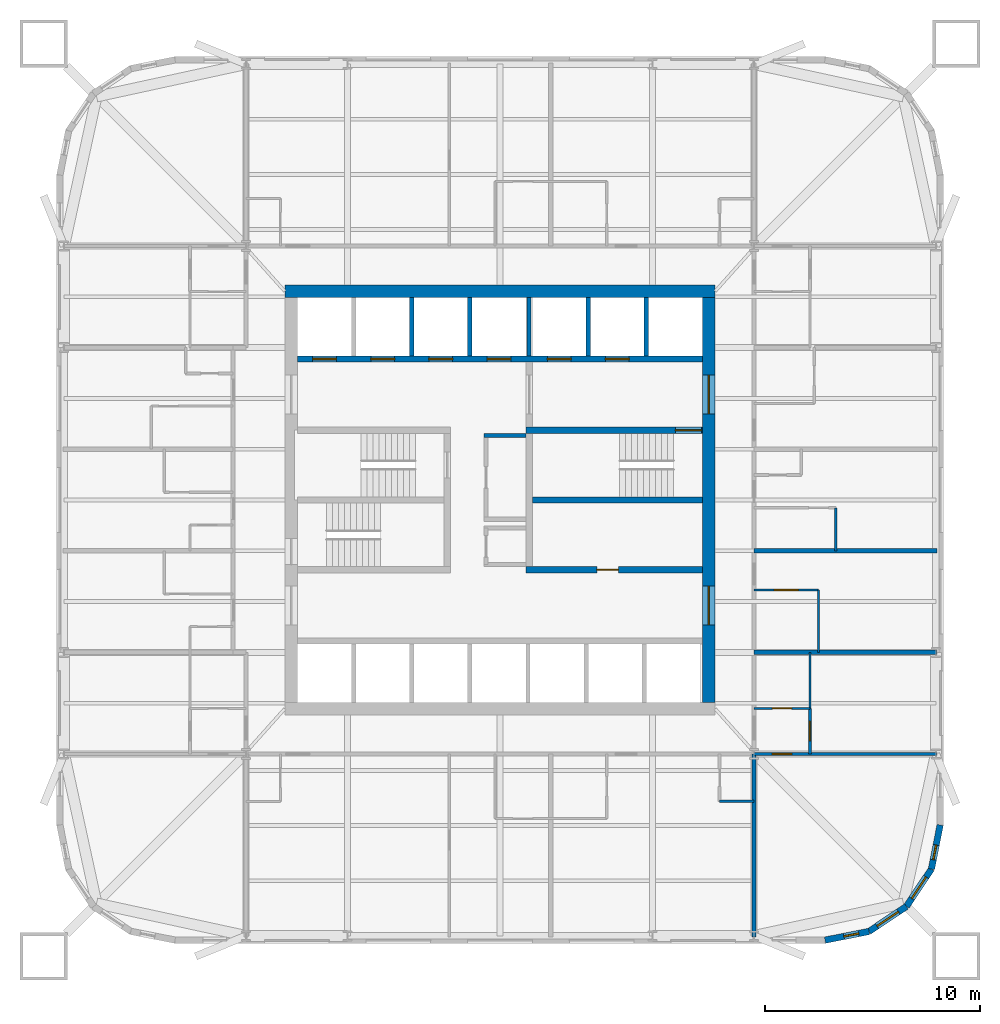
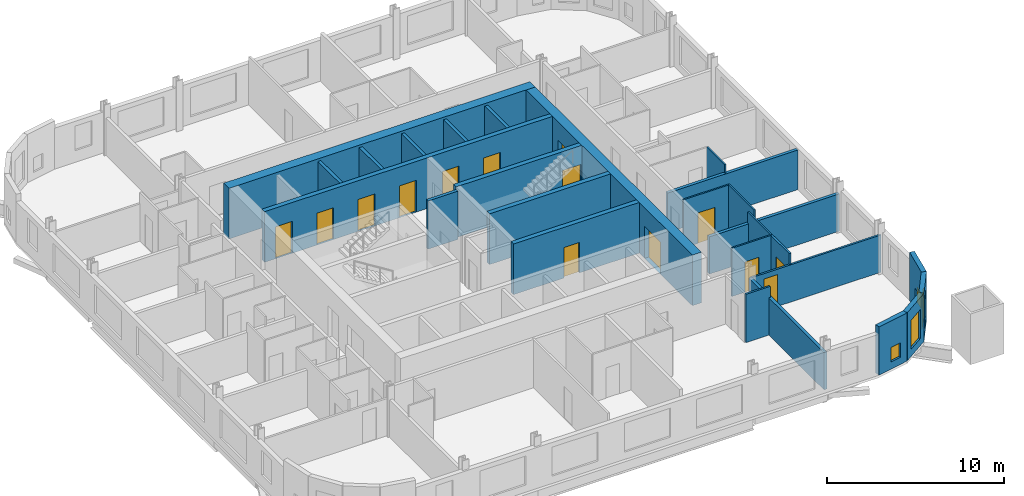
# One storey, part 5 of 9: 27 walls, 14 doors, 4 windows, 18 openings.
"""IFC4 building model written with IfcOpenShell, lengths in metres."""

import ifcopenshell
import ifcopenshell.guid

model = None  # the IFC model being written
_history = None  # IfcOwnerHistory: only IFC2X3 demands one
_inside = {}  # id of a spatial element -> (the spatial element, [elements in it])
_under = {}  # id of a project, library or spatial element -> (it, [spatial elements below it])
_declared = {}  # id of a project -> (the project, [libraries it declares])
_typed = {}  # id of a type object -> (the type object, [elements of that type])
_made_of = {}  # id of a material, layer set ... -> (it, [elements and type objects made of it])


def new_model(schema):
    """Start an empty IFC model of exactly this schema.

    Asked for "IFC4X3", IfcOpenShell would pick the latest addendum, in which some entities
    have other attributes; the version numbers below select the first issue.
    IFC2X3 requires an IfcOwnerHistory on every rooted entity: one is made here for all.
    """
    global model, _history
    if schema == "IFC4X3":
        model = ifcopenshell.file(schema_version=(4, 3, 0, 0))
    else:
        model = ifcopenshell.file(schema=schema)
    _inside.clear()
    _under.clear()
    _declared.clear()
    _typed.clear()
    _made_of.clear()
    _history = None
    if model.schema == "IFC2X3":
        org = make("IfcOrganization", Name="unknown")
        user = make(
            "IfcPersonAndOrganization",
            ThePerson=make("IfcPerson", FamilyName="unknown"),
            TheOrganization=org,
        )
        app = make(
            "IfcApplication",
            ApplicationDeveloper=org,
            Version="unknown",
            ApplicationFullName="unknown",
            ApplicationIdentifier="unknown",
        )
        _history = make(
            "IfcOwnerHistory",
            OwningUser=user,
            OwningApplication=app,
            ChangeAction="ADDED",
            CreationDate=0,
        )
    return model


def make(cls, **values):
    """One entity of the class cls with the attributes given. An attribute that is None is left unset."""
    return model.create_entity(
        cls, **{name: value for name, value in values.items() if value is not None}
    )


def rooted(cls, **values):
    """An entity with a GlobalId (a new one), such as an element, a storey or a relation."""
    return make(cls, GlobalId=ifcopenshell.guid.new(), OwnerHistory=_history, **values)


def si_unit(unit_type, name, prefix=None):
    """IfcSIUnit, for example si_unit("LENGTHUNIT", "METRE", prefix="MILLI")."""
    return make("IfcSIUnit", UnitType=unit_type, Prefix=prefix, Name=name)


def assignment(units):
    """IfcUnitAssignment: the units of a project."""
    return None if units is None else make("IfcUnitAssignment", Units=units)


def point(xyz):
    """IfcCartesianPoint."""
    return None if xyz is None else make("IfcCartesianPoint", Coordinates=xyz)


def direction(xyz):
    """IfcDirection."""
    return None if xyz is None else make("IfcDirection", DirectionRatios=xyz)


def frame(location, z_axis=None, x_axis=None):
    """IfcAxis2Placement3D, a coordinate frame: its origin and axes. An axis left out is left unset."""
    return make(
        "IfcAxis2Placement3D",
        Location=point(location),
        Axis=direction(z_axis),
        RefDirection=direction(x_axis),
    )


def frame_2d(location, x_axis=None):
    """IfcAxis2Placement2D, a coordinate frame in the plane: its origin and x axis."""
    return make(
        "IfcAxis2Placement2D", Location=point(location), RefDirection=direction(x_axis)
    )


def origin():
    """The frame at (0, 0, 0) with its axes left unset."""
    return frame((0.0, 0.0, 0.0))


def place(relative_to, where):
    """IfcLocalPlacement: puts the frame where relative to a parent placement (None: the world)."""
    return make(
        "IfcLocalPlacement", PlacementRelTo=relative_to, RelativePlacement=where
    )


def context(
    kind, dimensions, precision=None, world=None, true_north=None, identifier=None
):
    """IfcGeometricRepresentationContext, for example the 3D "Model" context."""
    return make(
        "IfcGeometricRepresentationContext",
        ContextIdentifier=identifier,
        ContextType=kind,
        CoordinateSpaceDimension=dimensions,
        Precision=precision,
        WorldCoordinateSystem=world,
        TrueNorth=true_north,
    )


def subcontext(parent, identifier, kind, view, scale=None):
    """IfcGeometricRepresentationSubContext, for example "Body" below "Model"."""
    return make(
        "IfcGeometricRepresentationSubContext",
        ContextIdentifier=identifier,
        ContextType=kind,
        ParentContext=parent,
        TargetScale=scale,
        TargetView=view,
    )


def project(units=None, contexts=None):
    """IfcProject with its units and contexts."""
    return rooted(
        "IfcProject",
        Name="project",
        RepresentationContexts=contexts,
        UnitsInContext=assignment(units),
    )


def spatial(cls, under=None, at=None, **own):
    """A site, building, storey or space (cls), placed at a placement, below another one or the project."""
    s = rooted(cls, ObjectPlacement=at, **own)
    if under is not None:
        _under.setdefault(under.id(), (under, []))[1].append(s)
    return s


def profile(cls, at=None, kind="AREA", **sizes):
    """A parametric profile (cls). Its sizes go by their IFC names, for example OverallWidth=200.0."""
    return make(cls, ProfileType=kind, Position=at, **sizes)


def rectangle(**sizes):
    """IfcRectangleProfileDef."""
    return profile("IfcRectangleProfileDef", **sizes)


def extrude(swept, where, along, depth):
    """IfcExtrudedAreaSolid: the profile swept, set in the frame where, extruded along a direction by depth."""
    return make(
        "IfcExtrudedAreaSolid",
        SweptArea=swept,
        Position=where,
        ExtrudedDirection=direction(along),
        Depth=depth,
    )


def shape(context_of_items, identifier, shape_type, items):
    """IfcShapeRepresentation: the items that make up one representation, for example the "Body"."""
    return make(
        "IfcShapeRepresentation",
        ContextOfItems=context_of_items,
        RepresentationIdentifier=identifier,
        RepresentationType=shape_type,
        Items=items,
    )


def material(Name=None, Category=None):
    """IfcMaterial."""
    return make("IfcMaterial", Name=Name, Category=Category)


def layer(
    of_material, thickness, ventilated=None, Name=None, Category=None, Priority=None
):
    """IfcMaterialLayer: one layer of a wall or slab, of a material (None: an air gap)."""
    return make(
        "IfcMaterialLayer",
        Material=of_material,
        LayerThickness=thickness,
        IsVentilated=ventilated,
        Name=Name,
        Category=Category,
        Priority=Priority,
    )


def layer_set(layers, Name=None):
    """IfcMaterialLayerSet."""
    return make("IfcMaterialLayerSet", MaterialLayers=layers, LayerSetName=Name)


def made_of(thing, what):
    """Note that an element or type object is made of a material, layer set ...; save() writes the relation."""
    if what is not None:
        _made_of.setdefault(what.id(), (what, []))[1].append(thing)
    return thing


def type_object(cls, material=None, **own):
    """A type object (cls), such as IfcWallType, which elements share."""
    return made_of(rooted(cls, **own), material)


def element(
    cls,
    number,
    at=None,
    inside=None,
    cuts=None,
    type_object=None,
    material=None,
    context=None,
    identifier="Body",
    shape_type=None,
    held_by="IfcProductDefinitionShape",
    body=None,
    shapes=None,
    **own,
):
    """One element of the class cls, such as IfcWall. Its Tag is "e" and its number.

    at: its placement. inside: the storey or other place that contains it. cuts: it is an
    opening in that element (IfcRelVoidsElement). A single representation is given by context,
    identifier, shape_type and body (its items); several are given by shapes. held_by: the class
    of the entity that holds the representations. save() writes the other relations.
    """
    e = rooted(cls, Tag="e%d" % number, ObjectPlacement=at, **own)
    if body is not None:
        shapes = [shape(context, identifier, shape_type, body)]
    if shapes is not None:
        e.Representation = make(held_by, Representations=shapes)
    if inside is not None:
        _inside.setdefault(inside.id(), (inside, []))[1].append(e)
    if cuts is not None:
        rooted(
            "IfcRelVoidsElement", RelatingBuildingElement=cuts, RelatedOpeningElement=e
        )
    if type_object is not None:
        _typed.setdefault(type_object.id(), (type_object, []))[1].append(e)
    return made_of(e, material)


def fill(opening, filler):
    """IfcRelFillsElement: the door or window that sits in an opening."""
    return rooted(
        "IfcRelFillsElement",
        RelatingOpeningElement=opening,
        RelatedBuildingElement=filler,
    )


def aggregate(whole, parts):
    """IfcRelAggregates: a whole, such as a stair, and the parts it consists of."""
    return rooted("IfcRelAggregates", RelatingObject=whole, RelatedObjects=parts)


def save(model, path):
    """Write the relations noted so far, then the file.

    IfcRelAggregates (storeys below a building ...), IfcRelContainedInSpatialStructure (elements
    in a storey), IfcRelDefinesByType, IfcRelAssociatesMaterial and IfcRelDeclares: one each for
    every whole, place, type object, material and project.
    """
    for whole, parts in _under.values():
        aggregate(whole, parts)
    for where, things in _inside.values():
        rooted(
            "IfcRelContainedInSpatialStructure",
            RelatedElements=things,
            RelatingStructure=where,
        )
    for kind, things in _typed.values():
        rooted("IfcRelDefinesByType", RelatedObjects=things, RelatingType=kind)
    for what, things in _made_of.values():
        rooted("IfcRelAssociatesMaterial", RelatedObjects=things, RelatingMaterial=what)
    for by, libraries in _declared.values():
        rooted("IfcRelDeclares", RelatingContext=by, RelatedDefinitions=libraries)
    model.write(path)


model = new_model("IFC4")

# Units and contexts
model_context = context("Model", 3, precision=1e-05, world=origin(), true_north=direction((0.0, 1.0)))
body_context = subcontext(model_context, "Body", "Model", "MODEL_VIEW")
ifc_project = project(units=[si_unit("LENGTHUNIT", "METRE"), si_unit("AREAUNIT", "SQUARE_METRE"), si_unit("VOLUMEUNIT", "CUBIC_METRE"), si_unit("PLANEANGLEUNIT", "RADIAN"), si_unit("MASSUNIT", "GRAM", prefix="KILO")], contexts=[model_context])

# Site, building, storey
site_placement = place(None, origin())
site = spatial("IfcSite", under=ifc_project, at=site_placement, CompositionType="ELEMENT")
building_placement = place(site_placement, origin())
building = spatial("IfcBuilding", under=site, at=building_placement, Name="Turquesa Mirador Hotel Tower", CompositionType="ELEMENT")
storey_placement = place(building_placement, frame((0.0, 0.0, 145.89990234375)))
storey = spatial("IfcBuildingStorey", under=building, at=storey_placement, Name="L39", CompositionType="ELEMENT", Elevation=145.89990234375)

# Wall, opening, door
ifc_material_1 = material(Name="Gypsum board on steel studs", Category="steel")
ifc_layer_1 = layer(ifc_material_1, 0.10009765625)
ifc_layer_set_1 = layer_set([ifc_layer_1], Name="BATHROOM WALL 100")
wall_type_1 = type_object("IfcWallType", Name="BATHROOM WALL 100", PredefinedType="PARTITIONING", material=ifc_layer_set_1)
wall_1_placement = place(storey_placement, frame((66.800048828125, 40.820068359375, 0.0), z_axis=(0.0, 0.0, 1.0), x_axis=(1.0, 0.0, 0.0)))
wall_1 = element("IfcWall", 1, at=wall_1_placement, inside=storey, type_object=wall_type_1, Name="Partition L39 011", PredefinedType="PARTITIONING", context=body_context, shape_type="SweptSolid", body=[
    extrude(rectangle(XDim=3.0, YDim=0.10009765625, at=frame_2d((1.5, 0.0))), origin(), (0.0, 0.0, 1.0), 3.330078125),
])
opening_1_placement = place(wall_1_placement, frame((0.949951171875, 0.0, 0.0)))
opening_1 = element("IfcOpeningElement", 2, at=opening_1_placement, cuts=wall_1, Name="Opening D16", PredefinedType="OPENING", context=body_context, shape_type="SweptSolid", body=[
    extrude(rectangle(XDim=1.10009765625, YDim=2.10009765625, at=frame_2d((0.550048828125, 1.050048828125))), frame((0.0, 0.06005859375, 0.0), z_axis=(0.0, -1.0, 0.0), x_axis=(1.0, 0.0, 0.0)), (0.0, 0.0, 1.0), 0.1201171875),
])
ifc_material_2 = material(Name="Timber veneered sliding door", Category="wood")
door_type_1 = type_object("IfcDoorType", Name="DOOR 1100X2100 ACCESSIBLE EN-SUITE", OperationType="SLIDING_TO_LEFT", PredefinedType="DOOR", material=ifc_material_2)
door_1_placement = place(opening_1_placement, origin())
door_1 = element("IfcDoor", 3, at=door_1_placement, inside=storey, type_object=door_type_1, Name="Door 3905B", OperationType="SLIDING_TO_LEFT", OverallHeight=2.10009765625, OverallWidth=1.10009765625, PredefinedType="DOOR", context=body_context, shape_type="SweptSolid", body=[
    extrude(rectangle(XDim=1.10009765625, YDim=2.10009765625, at=frame_2d((0.550048828125, 1.050048828125))), frame((0.0, 0.02490234375, 0.0), z_axis=(0.0, -1.0, 0.0), x_axis=(1.0, 0.0, 0.0)), (0.0, 0.0, 1.0), 0.050048828125),
])
fill(opening_1, door_1)

wall_2_placement = place(storey_placement, frame((66.800048828125, 35.320068359375, 0.0), z_axis=(0.0, 0.0, 1.0), x_axis=(1.0, 0.0, 0.0)))
wall_2 = element("IfcWall", 4, at=wall_2_placement, inside=storey, type_object=wall_type_1, Name="Partition L39 018", PredefinedType="PARTITIONING", context=body_context, shape_type="SweptSolid", body=[
    extrude(rectangle(XDim=2.599853515625, YDim=0.10009765625, at=frame_2d((1.2998046875, 0.0))), origin(), (0.0, 0.0, 1.0), 3.330078125),
])
opening_2_placement = place(wall_2_placement, frame((0.85009765625, 0.0, 0.0)))
opening_2 = element("IfcOpeningElement", 5, at=opening_2_placement, cuts=wall_2, Name="Opening D02", PredefinedType="OPENING", context=body_context, shape_type="SweptSolid", body=[
    extrude(rectangle(XDim=0.89990234375, YDim=2.10009765625, at=frame_2d((0.449951171875, 1.050048828125))), frame((0.0, 0.06005859375, 0.0), z_axis=(0.0, -1.0, 0.0), x_axis=(1.0, 0.0, 0.0)), (0.0, 0.0, 1.0), 0.1201171875),
])
ifc_material_3 = material(Name="Timber veneered door", Category="wood")
door_type_2 = type_object("IfcDoorType", Name="DOOR 900X2100 EN-SUITE", OperationType="SINGLE_SWING_RIGHT", PredefinedType="DOOR", material=ifc_material_3)
door_2_placement = place(opening_2_placement, origin())
door_2 = element("IfcDoor", 6, at=door_2_placement, inside=storey, type_object=door_type_2, Name="Door 3914B", OperationType="SINGLE_SWING_RIGHT", OverallHeight=2.10009765625, OverallWidth=0.89990234375, PredefinedType="DOOR", context=body_context, shape_type="SweptSolid", body=[
    extrude(rectangle(XDim=0.89990234375, YDim=2.10009765625, at=frame_2d((0.449951171875, 1.050048828125))), frame((0.0, 0.02490234375, 0.0), z_axis=(0.0, -1.0, 0.0), x_axis=(1.0, 0.0, 0.0)), (0.0, 0.0, 1.0), 0.050048828125),
])
fill(opening_2, door_2)

# Walls
wall_3_placement = place(storey_placement, frame((69.39990234375, 35.320068359375, 0.0), z_axis=(0.0, 0.0, 1.0), x_axis=(0.0, 1.0, 0.0)))
element("IfcWall", 7, at=wall_3_placement, inside=storey, type_object=wall_type_1, Name="Partition L39 065", PredefinedType="PARTITIONING", context=body_context, shape_type="SweptSolid", body=[
    extrude(rectangle(XDim=2.599853515625, YDim=0.10009765625, at=frame_2d((1.2998046875, 0.0))), origin(), (0.0, 0.0, 1.0), 3.330078125),
])
wall_4_placement = place(storey_placement, frame((69.800048828125, 37.919921875, 0.0), z_axis=(0.0, 0.0, 1.0), x_axis=(0.0, 1.0, 0.0)))
element("IfcWall", 8, at=wall_4_placement, inside=storey, type_object=wall_type_1, Name="Partition L39 070", PredefinedType="PARTITIONING", context=body_context, shape_type="SweptSolid", body=[
    extrude(rectangle(XDim=2.900146484375, YDim=0.10009765625, at=frame_2d((1.4501953125, 0.0))), origin(), (0.0, 0.0, 1.0), 3.330078125),
])
wall_5_placement = place(storey_placement, frame((70.60009765625, 42.639892578125, 0.0), z_axis=(0.0, 0.0, 1.0), x_axis=(0.0, 1.0, 0.0)))
element("IfcWall", 9, at=wall_5_placement, inside=storey, type_object=wall_type_1, Name="Partition L39 071", PredefinedType="PARTITIONING", context=body_context, shape_type="SweptSolid", body=[
    extrude(rectangle(XDim=2.0, YDim=0.10009765625, at=frame_2d((1.0, 0.0))), origin(), (0.0, 0.0, 1.0), 3.330078125),
])

# Wall, openings, doors
ifc_material_4 = material(Name="Concrete C50/60", Category="concrete")
ifc_layer_2 = layer(ifc_material_4, 0.300048828125)
ifc_layer_set_2 = layer_set([ifc_layer_2], Name="CORE INNER WALL 300")
wall_type_2 = type_object("IfcWallType", Name="CORE INNER WALL 300", PredefinedType="SHEAR", material=ifc_layer_set_2)
wall_6_placement = place(storey_placement, frame((45.60009765625, 51.550048828125, 0.0), z_axis=(0.0, 0.0, 1.0), x_axis=(1.0, 0.0, 0.0)))
wall_6 = element("IfcWall", 10, at=wall_6_placement, inside=storey, type_object=wall_type_2, Name="Core wall NL", PredefinedType="SHEAR", context=body_context, shape_type="SweptSolid", body=[
    extrude(rectangle(XDim=18.7998046875, YDim=0.300048828125, at=frame_2d((9.39990234375, 0.0))), origin(), (0.0, 0.0, 1.0), 3.5),
])
opening_3_placement = place(wall_6_placement, frame((0.699951171875, 0.0, 0.0)))
opening_3 = element("IfcOpeningElement", 11, at=opening_3_placement, cuts=wall_6, Name="Opening LD", PredefinedType="OPENING", context=body_context, shape_type="SweptSolid", body=[
    extrude(rectangle(XDim=1.10009765625, YDim=2.199951171875, at=frame_2d((0.550048828125, 1.10009765625))), frame((0.0, 0.159912109375, 0.0), z_axis=(0.0, -1.0, 0.0), x_axis=(1.0, 0.0, 0.0)), (0.0, 0.0, 1.0), 0.320068359375),
])
opening_4_placement = place(wall_6_placement, frame((3.39990234375, 0.0, 0.0)))
opening_4 = element("IfcOpeningElement", 12, at=opening_4_placement, cuts=wall_6, Name="Opening LD", PredefinedType="OPENING", context=body_context, shape_type="SweptSolid", body=[
    extrude(rectangle(XDim=1.10009765625, YDim=2.199951171875, at=frame_2d((0.550048828125, 1.10009765625))), frame((0.0, 0.159912109375, 0.0), z_axis=(0.0, -1.0, 0.0), x_axis=(1.0, 0.0, 0.0)), (0.0, 0.0, 1.0), 0.320068359375),
])
opening_5_placement = place(wall_6_placement, frame((6.10009765625, 0.0, 0.0)))
opening_5 = element("IfcOpeningElement", 13, at=opening_5_placement, cuts=wall_6, Name="Opening LD", PredefinedType="OPENING", context=body_context, shape_type="SweptSolid", body=[
    extrude(rectangle(XDim=1.10009765625, YDim=2.199951171875, at=frame_2d((0.550048828125, 1.10009765625))), frame((0.0, 0.159912109375, 0.0), z_axis=(0.0, -1.0, 0.0), x_axis=(1.0, 0.0, 0.0)), (0.0, 0.0, 1.0), 0.320068359375),
])
opening_6_placement = place(wall_6_placement, frame((8.800048828125, 0.0, 0.0)))
opening_6 = element("IfcOpeningElement", 14, at=opening_6_placement, cuts=wall_6, Name="Opening LD", PredefinedType="OPENING", context=body_context, shape_type="SweptSolid", body=[
    extrude(rectangle(XDim=1.10009765625, YDim=2.199951171875, at=frame_2d((0.550048828125, 1.10009765625))), frame((0.0, 0.159912109375, 0.0), z_axis=(0.0, -1.0, 0.0), x_axis=(1.0, 0.0, 0.0)), (0.0, 0.0, 1.0), 0.320068359375),
])
opening_7_placement = place(wall_6_placement, frame((11.60009765625, 0.0, 0.0)))
opening_7 = element("IfcOpeningElement", 15, at=opening_7_placement, cuts=wall_6, Name="Opening LD", PredefinedType="OPENING", context=body_context, shape_type="SweptSolid", body=[
    extrude(rectangle(XDim=1.10009765625, YDim=2.199951171875, at=frame_2d((0.550048828125, 1.10009765625))), frame((0.0, 0.159912109375, 0.0), z_axis=(0.0, -1.0, 0.0), x_axis=(1.0, 0.0, 0.0)), (0.0, 0.0, 1.0), 0.320068359375),
])
opening_8_placement = place(wall_6_placement, frame((14.300048828125, 0.0, 0.0)))
opening_8 = element("IfcOpeningElement", 16, at=opening_8_placement, cuts=wall_6, Name="Opening LD", PredefinedType="OPENING", context=body_context, shape_type="SweptSolid", body=[
    extrude(rectangle(XDim=1.10009765625, YDim=2.199951171875, at=frame_2d((0.550048828125, 1.10009765625))), frame((0.0, 0.159912109375, 0.0), z_axis=(0.0, -1.0, 0.0), x_axis=(1.0, 0.0, 0.0)), (0.0, 0.0, 1.0), 0.320068359375),
])
ifc_material_5 = material(Name="Stainless steel lift landing door", Category="steel")
door_type_3 = type_object("IfcDoorType", Name="LIFT LANDING DOOR 1100X2200", OperationType="SLIDING_TO_LEFT", PredefinedType="DOOR", material=ifc_material_5)
door_3_placement = place(opening_3_placement, origin())
door_3 = element("IfcDoor", 17, at=door_3_placement, inside=storey, type_object=door_type_3, Name="Lift A1 landing door", OperationType="SLIDING_TO_LEFT", OverallHeight=2.199951171875, OverallWidth=1.10009765625, PredefinedType="DOOR", context=body_context, shape_type="SweptSolid", body=[
    extrude(rectangle(XDim=1.10009765625, YDim=2.199951171875, at=frame_2d((0.550048828125, 1.10009765625))), frame((0.0, 0.02490234375, 0.0), z_axis=(0.0, -1.0, 0.0), x_axis=(1.0, 0.0, 0.0)), (0.0, 0.0, 1.0), 0.050048828125),
])
fill(opening_3, door_3)
door_4_placement = place(opening_4_placement, origin())
door_4 = element("IfcDoor", 18, at=door_4_placement, inside=storey, type_object=door_type_3, Name="Lift A2 landing door", OperationType="SLIDING_TO_LEFT", OverallHeight=2.199951171875, OverallWidth=1.10009765625, PredefinedType="DOOR", context=body_context, shape_type="SweptSolid", body=[
    extrude(rectangle(XDim=1.10009765625, YDim=2.199951171875, at=frame_2d((0.550048828125, 1.10009765625))), frame((0.0, 0.02490234375, 0.0), z_axis=(0.0, -1.0, 0.0), x_axis=(1.0, 0.0, 0.0)), (0.0, 0.0, 1.0), 0.050048828125),
])
fill(opening_4, door_4)
door_5_placement = place(opening_5_placement, origin())
door_5 = element("IfcDoor", 19, at=door_5_placement, inside=storey, type_object=door_type_3, Name="Lift A3 landing door", OperationType="SLIDING_TO_LEFT", OverallHeight=2.199951171875, OverallWidth=1.10009765625, PredefinedType="DOOR", context=body_context, shape_type="SweptSolid", body=[
    extrude(rectangle(XDim=1.10009765625, YDim=2.199951171875, at=frame_2d((0.550048828125, 1.10009765625))), frame((0.0, 0.02490234375, 0.0), z_axis=(0.0, -1.0, 0.0), x_axis=(1.0, 0.0, 0.0)), (0.0, 0.0, 1.0), 0.050048828125),
])
fill(opening_5, door_5)
door_6_placement = place(opening_6_placement, origin())
door_6 = element("IfcDoor", 20, at=door_6_placement, inside=storey, type_object=door_type_3, Name="Lift A4 landing door", OperationType="SLIDING_TO_LEFT", OverallHeight=2.199951171875, OverallWidth=1.10009765625, PredefinedType="DOOR", context=body_context, shape_type="SweptSolid", body=[
    extrude(rectangle(XDim=1.10009765625, YDim=2.199951171875, at=frame_2d((0.550048828125, 1.10009765625))), frame((0.0, 0.02490234375, 0.0), z_axis=(0.0, -1.0, 0.0), x_axis=(1.0, 0.0, 0.0)), (0.0, 0.0, 1.0), 0.050048828125),
])
fill(opening_6, door_6)
door_7_placement = place(opening_7_placement, origin())
door_7 = element("IfcDoor", 21, at=door_7_placement, inside=storey, type_object=door_type_3, Name="Lift S1 landing door", OperationType="SLIDING_TO_LEFT", OverallHeight=2.199951171875, OverallWidth=1.10009765625, PredefinedType="DOOR", context=body_context, shape_type="SweptSolid", body=[
    extrude(rectangle(XDim=1.10009765625, YDim=2.199951171875, at=frame_2d((0.550048828125, 1.10009765625))), frame((0.0, 0.02490234375, 0.0), z_axis=(0.0, -1.0, 0.0), x_axis=(1.0, 0.0, 0.0)), (0.0, 0.0, 1.0), 0.050048828125),
])
fill(opening_7, door_7)
door_8_placement = place(opening_8_placement, origin())
door_8 = element("IfcDoor", 22, at=door_8_placement, inside=storey, type_object=door_type_3, Name="Lift S2 landing door", OperationType="SLIDING_TO_LEFT", OverallHeight=2.199951171875, OverallWidth=1.10009765625, PredefinedType="DOOR", context=body_context, shape_type="SweptSolid", body=[
    extrude(rectangle(XDim=1.10009765625, YDim=2.199951171875, at=frame_2d((0.550048828125, 1.10009765625))), frame((0.0, 0.02490234375, 0.0), z_axis=(0.0, -1.0, 0.0), x_axis=(1.0, 0.0, 0.0)), (0.0, 0.0, 1.0), 0.050048828125),
])
fill(opening_8, door_8)

# Wall, opening, door
wall_7_placement = place(storey_placement, frame((56.199951171875, 48.25, 0.0), z_axis=(0.0, 0.0, 1.0), x_axis=(1.0, 0.0, 0.0)))
wall_7 = element("IfcWall", 23, at=wall_7_placement, inside=storey, type_object=wall_type_2, Name="Core wall MN-E", PredefinedType="SHEAR", context=body_context, shape_type="SweptSolid", body=[
    extrude(rectangle(XDim=8.199951171875, YDim=0.300048828125, at=frame_2d((4.10009765625, 0.0))), origin(), (0.0, 0.0, 1.0), 3.5),
])
opening_9_placement = place(wall_7_placement, frame((6.949951171875, 0.0, 0.0)))
opening_9 = element("IfcOpeningElement", 24, at=opening_9_placement, cuts=wall_7, Name="Opening D03", PredefinedType="OPENING", context=body_context, shape_type="SweptSolid", body=[
    extrude(rectangle(XDim=1.199951171875, YDim=2.199951171875, at=frame_2d((0.60009765625, 1.10009765625))), frame((0.0, 0.159912109375, 0.0), z_axis=(0.0, -1.0, 0.0), x_axis=(1.0, 0.0, 0.0)), (0.0, 0.0, 1.0), 0.320068359375),
])
ifc_material_6 = material(Name="Steel fire door", Category="steel")
door_type_4 = type_object("IfcDoorType", Name="DOOR 1200X2200 STAIR", OperationType="SINGLE_SWING_LEFT", PredefinedType="DOOR", material=ifc_material_6)
door_9_placement = place(opening_9_placement, origin())
door_9 = element("IfcDoor", 25, at=door_9_placement, inside=storey, type_object=door_type_4, Name="Stair ST3 door", OperationType="SINGLE_SWING_LEFT", OverallHeight=2.199951171875, OverallWidth=1.199951171875, PredefinedType="DOOR", context=body_context, shape_type="SweptSolid", body=[
    extrude(rectangle(XDim=1.199951171875, YDim=2.199951171875, at=frame_2d((0.60009765625, 1.10009765625))), frame((0.0, 0.02490234375, 0.0), z_axis=(0.0, -1.0, 0.0), x_axis=(1.0, 0.0, 0.0)), (0.0, 0.0, 1.0), 0.050048828125),
])
fill(opening_9, door_9)

wall_8_placement = place(storey_placement, frame((56.199951171875, 41.75, 0.0), z_axis=(0.0, 0.0, 1.0), x_axis=(1.0, 0.0, 0.0)))
wall_8 = element("IfcWall", 26, at=wall_8_placement, inside=storey, type_object=wall_type_2, Name="Core wall MS-E", PredefinedType="SHEAR", context=body_context, shape_type="SweptSolid", body=[
    extrude(rectangle(XDim=8.199951171875, YDim=0.300048828125, at=frame_2d((4.10009765625, 0.0))), origin(), (0.0, 0.0, 1.0), 3.5),
])
opening_10_placement = place(wall_8_placement, frame((3.300048828125, 0.0, 0.0)))
opening_10 = element("IfcOpeningElement", 27, at=opening_10_placement, cuts=wall_8, Name="Opening D05", PredefinedType="OPENING", context=body_context, shape_type="SweptSolid", body=[
    extrude(rectangle(XDim=1.0, YDim=2.10009765625, at=frame_2d((0.5, 1.050048828125))), frame((0.0, 0.159912109375, 0.0), z_axis=(0.0, -1.0, 0.0), x_axis=(1.0, 0.0, 0.0)), (0.0, 0.0, 1.0), 0.320068359375),
])
ifc_material_7 = material(Name="Steel fire door", Category="steel")
door_type_5 = type_object("IfcDoorType", Name="DOOR 1000X2100 SERVICE", OperationType="SINGLE_SWING_LEFT", PredefinedType="DOOR", material=ifc_material_7)
door_10_placement = place(opening_10_placement, origin())
door_10 = element("IfcDoor", 28, at=door_10_placement, inside=storey, type_object=door_type_5, Name="Housekeeping room door", OperationType="SINGLE_SWING_LEFT", OverallHeight=2.10009765625, OverallWidth=1.0, PredefinedType="DOOR", context=body_context, shape_type="SweptSolid", body=[
    extrude(rectangle(XDim=1.0, YDim=2.10009765625, at=frame_2d((0.5, 1.050048828125))), frame((0.0, 0.02490234375, 0.0), z_axis=(0.0, -1.0, 0.0), x_axis=(1.0, 0.0, 0.0)), (0.0, 0.0, 1.0), 0.050048828125),
])
fill(opening_10, door_10)

# Walls
wall_9_placement = place(storey_placement, frame((56.5, 45.0, 0.0), z_axis=(0.0, 0.0, 1.0), x_axis=(1.0, 0.0, 0.0)))
element("IfcWall", 29, at=wall_9_placement, inside=storey, type_object=wall_type_2, Name="Core wall M0-E", PredefinedType="SHEAR", context=body_context, shape_type="SweptSolid", body=[
    extrude(rectangle(XDim=7.89990234375, YDim=0.300048828125, at=frame_2d((3.949951171875, 0.0))), origin(), (0.0, 0.0, 1.0), 3.5),
])
ifc_material_8 = material(Name="Concrete C50/60", Category="concrete")
ifc_layer_3 = layer(ifc_material_8, 0.60009765625)
ifc_layer_set_3 = layer_set([ifc_layer_3], Name="CORE WALL 600")
wall_type_3 = type_object("IfcWallType", Name="CORE WALL 600", PredefinedType="SHEAR", material=ifc_layer_set_3)
wall_10_placement = place(storey_placement, frame((45.0, 54.699951171875, 0.0), z_axis=(0.0, 0.0, 1.0), x_axis=(1.0, 0.0, 0.0)))
element("IfcWall", 30, at=wall_10_placement, inside=storey, type_object=wall_type_3, Name="Core wall N", PredefinedType="SHEAR", context=body_context, shape_type="SweptSolid", body=[
    extrude(rectangle(XDim=20.0, YDim=0.60009765625, at=frame_2d((10.0, 0.0))), origin(), (0.0, 0.0, 1.0), 3.5),
])

# Wall, openings, doors
wall_11_placement = place(storey_placement, frame((64.699951171875, 35.60009765625, 0.0), z_axis=(0.0, 0.0, 1.0), x_axis=(0.0, 1.0, 0.0)))
wall_11 = element("IfcWall", 31, at=wall_11_placement, inside=storey, type_object=wall_type_3, Name="Core wall E", PredefinedType="SHEAR", context=body_context, shape_type="SweptSolid", body=[
    extrude(rectangle(XDim=18.7998046875, YDim=0.60009765625, at=frame_2d((9.39990234375, 0.0))), origin(), (0.0, 0.0, 1.0), 3.5),
])
opening_11_placement = place(wall_11_placement, frame((13.39990234375, 0.0, 0.0)))
opening_11 = element("IfcOpeningElement", 32, at=opening_11_placement, cuts=wall_11, Name="Opening D04", PredefinedType="OPENING", context=body_context, shape_type="SweptSolid", body=[
    extrude(rectangle(XDim=1.800048828125, YDim=2.199951171875, at=frame_2d((0.89990234375, 1.10009765625))), frame((0.0, 0.31005859375, 0.0), z_axis=(0.0, -1.0, 0.0), x_axis=(1.0, 0.0, 0.0)), (0.0, 0.0, 1.0), 0.6201171875),
])
opening_12_placement = place(wall_11_placement, frame((3.60009765625, 0.0, 0.0)))
opening_12 = element("IfcOpeningElement", 33, at=opening_12_placement, cuts=wall_11, Name="Opening D04", PredefinedType="OPENING", context=body_context, shape_type="SweptSolid", body=[
    extrude(rectangle(XDim=1.800048828125, YDim=2.199951171875, at=frame_2d((0.89990234375, 1.10009765625))), frame((0.0, 0.31005859375, 0.0), z_axis=(0.0, -1.0, 0.0), x_axis=(1.0, 0.0, 0.0)), (0.0, 0.0, 1.0), 0.6201171875),
])
ifc_material_9 = material(Name="Steel fire door pair", Category="steel")
door_type_6 = type_object("IfcDoorType", Name="DOOR 1800X2200 PAIR", OperationType="DOUBLE_DOOR_SINGLE_SWING", PredefinedType="DOOR", material=ifc_material_9)
door_11_placement = place(opening_11_placement, origin())
door_11 = element("IfcDoor", 34, at=door_11_placement, inside=storey, type_object=door_type_6, Name="Firefighting lobby door", OperationType="DOUBLE_DOOR_SINGLE_SWING", OverallHeight=2.199951171875, OverallWidth=1.800048828125, PredefinedType="DOOR", context=body_context, shape_type="SweptSolid", body=[
    extrude(rectangle(XDim=1.800048828125, YDim=2.199951171875, at=frame_2d((0.89990234375, 1.10009765625))), frame((0.0, 0.02490234375, 0.0), z_axis=(0.0, -1.0, 0.0), x_axis=(1.0, 0.0, 0.0)), (0.0, 0.0, 1.0), 0.050048828125),
])
fill(opening_11, door_11)
door_12_placement = place(opening_12_placement, origin())
door_12 = element("IfcDoor", 35, at=door_12_placement, inside=storey, type_object=door_type_6, Name="South lift lobby door", OperationType="DOUBLE_DOOR_SINGLE_SWING", OverallHeight=2.199951171875, OverallWidth=1.800048828125, PredefinedType="DOOR", context=body_context, shape_type="SweptSolid", body=[
    extrude(rectangle(XDim=1.800048828125, YDim=2.199951171875, at=frame_2d((0.89990234375, 1.10009765625))), frame((0.0, 0.02490234375, 0.0), z_axis=(0.0, -1.0, 0.0), x_axis=(1.0, 0.0, 0.0)), (0.0, 0.0, 1.0), 0.050048828125),
])
fill(opening_12, door_12)

# Wall, opening, window
ifc_material_10 = material(Name="Limestone cladding on concrete block", Category="masonry")
ifc_layer_4 = layer(ifc_material_10, 0.300048828125)
ifc_layer_set_4 = layer_set([ifc_layer_4], Name="FACADE WALL 300 STONE SCREEN")
wall_type_4 = type_object("IfcWallType", Name="FACADE WALL 300 STONE SCREEN", PredefinedType="SOLIDWALL", material=ifc_layer_set_4)
wall_12_placement = place(storey_placement, frame((70.10009765625, 24.550048828125, 0.0), z_axis=(0.0, 0.0, 1.0), x_axis=(0.980787050784, 0.195081421501, 0.0)))
wall_12 = element("IfcWall", 36, at=wall_12_placement, inside=storey, type_object=wall_type_4, Name="Facade wall L39 00", PredefinedType="SOLIDWALL", context=body_context, shape_type="SweptSolid", body=[
    extrude(rectangle(XDim=2.08740234375, YDim=0.300048828125, at=frame_2d((1.043701171875, 0.0))), origin(), (0.0, 0.0, 1.0), 3.330078125),
])
opening_13_placement = place(wall_12_placement, frame((0.893798828125, 0.0, 0.5)))
opening_13 = element("IfcOpeningElement", 37, at=opening_13_placement, cuts=wall_12, Name="Opening WN15", PredefinedType="OPENING", context=body_context, shape_type="SweptSolid", body=[
    extrude(rectangle(XDim=0.699951171875, YDim=1.0, at=frame_2d((0.35009765625, 0.5))), frame((0.0, 0.159912109375, 0.0), z_axis=(0.0, -1.0, 0.0), x_axis=(1.0, 0.0, 0.0)), (0.0, 0.0, 1.0), 0.320068359375),
])
ifc_material_11 = material(Name="Ceramic-fritted laminated glass", Category="glass")
window_type_1 = type_object("IfcWindowType", Name="FRITTED CORNER WINDOW 700X1000", PartitioningType="DOUBLE_PANEL_HORIZONTAL", PredefinedType="WINDOW", material=ifc_material_11)
window_1_placement = place(opening_13_placement, origin())
window_1 = element("IfcWindow", 38, at=window_1_placement, inside=storey, type_object=window_type_1, Name="Window L39", OverallHeight=1.0, OverallWidth=0.699951171875, PartitioningType="SINGLE_PANEL", PredefinedType="WINDOW", context=body_context, shape_type="SweptSolid", body=[
    extrude(rectangle(XDim=0.699951171875, YDim=1.0, at=frame_2d((0.35009765625, 0.5))), frame((0.0, 0.030029296875, 0.0), z_axis=(0.0, -1.0, 0.0), x_axis=(1.0, 0.0, 0.0)), (0.0, 0.0, 1.0), 0.06005859375),
])
fill(opening_13, window_1)

wall_13_placement = place(storey_placement, frame((72.1474609375, 24.957275390625, 0.0), z_axis=(0.0, 0.0, 1.0), x_axis=(0.831474039234, 0.555563607591, 0.0)))
wall_13 = element("IfcWall", 39, at=wall_13_placement, inside=storey, type_object=wall_type_4, Name="Facade wall L39 01", PredefinedType="SOLIDWALL", context=body_context, shape_type="SweptSolid", body=[
    extrude(rectangle(XDim=2.08740234375, YDim=0.300048828125, at=frame_2d((1.043701171875, 0.0))), origin(), (0.0, 0.0, 1.0), 3.330078125),
])
opening_14_placement = place(wall_13_placement, frame((0.443603515625, 0.0, 0.5)))
opening_14 = element("IfcOpeningElement", 40, at=opening_14_placement, cuts=wall_13, Name="Opening WN4", PredefinedType="OPENING", context=body_context, shape_type="SweptSolid", body=[
    extrude(rectangle(XDim=1.199951171875, YDim=2.0, at=frame_2d((0.60009765625, 1.0))), frame((0.0, 0.159912109375, 0.0), z_axis=(0.0, -1.0, 0.0), x_axis=(1.0, 0.0, 0.0)), (0.0, 0.0, 1.0), 0.320068359375),
])
ifc_material_12 = material(Name="Ceramic-fritted laminated glass", Category="glass")
window_type_2 = type_object("IfcWindowType", Name="FRITTED CORNER WINDOW 1200X2000", PartitioningType="DOUBLE_PANEL_HORIZONTAL", PredefinedType="WINDOW", material=ifc_material_12)
window_2_placement = place(opening_14_placement, origin())
window_2 = element("IfcWindow", 41, at=window_2_placement, inside=storey, type_object=window_type_2, Name="Window L39", OverallHeight=2.0, OverallWidth=1.199951171875, PartitioningType="SINGLE_PANEL", PredefinedType="WINDOW", context=body_context, shape_type="SweptSolid", body=[
    extrude(rectangle(XDim=1.199951171875, YDim=2.0, at=frame_2d((0.60009765625, 1.0))), frame((0.0, 0.030029296875, 0.0), z_axis=(0.0, -1.0, 0.0), x_axis=(1.0, 0.0, 0.0)), (0.0, 0.0, 1.0), 0.06005859375),
])
fill(opening_14, window_2)

wall_14_placement = place(storey_placement, frame((73.883056640625, 26.116943359375, 0.0), z_axis=(0.0, 0.0, 1.0), x_axis=(0.555563607591, 0.831474039234, 0.0)))
wall_14 = element("IfcWall", 42, at=wall_14_placement, inside=storey, type_object=wall_type_4, Name="Facade wall L39 02", PredefinedType="SOLIDWALL", context=body_context, shape_type="SweptSolid", body=[
    extrude(rectangle(XDim=2.08740234375, YDim=0.300048828125, at=frame_2d((1.043701171875, 0.0))), origin(), (0.0, 0.0, 1.0), 3.330078125),
])
opening_15_placement = place(wall_14_placement, frame((0.443603515625, 0.0, 0.5)))
opening_15 = element("IfcOpeningElement", 43, at=opening_15_placement, cuts=wall_14, Name="Opening WN4", PredefinedType="OPENING", context=body_context, shape_type="SweptSolid", body=[
    extrude(rectangle(XDim=1.199951171875, YDim=2.0, at=frame_2d((0.60009765625, 1.0))), frame((0.0, 0.159912109375, 0.0), z_axis=(0.0, -1.0, 0.0), x_axis=(1.0, 0.0, 0.0)), (0.0, 0.0, 1.0), 0.320068359375),
])
window_3_placement = place(opening_15_placement, origin())
window_3 = element("IfcWindow", 44, at=window_3_placement, inside=storey, type_object=window_type_2, Name="Window L39", OverallHeight=2.0, OverallWidth=1.199951171875, PartitioningType="SINGLE_PANEL", PredefinedType="WINDOW", context=body_context, shape_type="SweptSolid", body=[
    extrude(rectangle(XDim=1.199951171875, YDim=2.0, at=frame_2d((0.60009765625, 1.0))), frame((0.0, 0.030029296875, 0.0), z_axis=(0.0, -1.0, 0.0), x_axis=(1.0, 0.0, 0.0)), (0.0, 0.0, 1.0), 0.06005859375),
])
fill(opening_15, window_3)

wall_15_placement = place(storey_placement, frame((75.042724609375, 27.8525390625, 0.0), z_axis=(0.0, 0.0, 1.0), x_axis=(0.195081421501, 0.980787050784, 0.0)))
wall_15 = element("IfcWall", 45, at=wall_15_placement, inside=storey, type_object=wall_type_4, Name="Facade wall L39 03", PredefinedType="SOLIDWALL", context=body_context, shape_type="SweptSolid", body=[
    extrude(rectangle(XDim=2.08740234375, YDim=0.300048828125, at=frame_2d((1.043701171875, 0.0))), origin(), (0.0, 0.0, 1.0), 3.330078125),
])
opening_16_placement = place(wall_15_placement, frame((0.443603515625, 0.0, 0.5)))
opening_16 = element("IfcOpeningElement", 46, at=opening_16_placement, cuts=wall_15, Name="Opening WN15", PredefinedType="OPENING", context=body_context, shape_type="SweptSolid", body=[
    extrude(rectangle(XDim=0.699951171875, YDim=1.0, at=frame_2d((0.35009765625, 0.5))), frame((0.0, 0.159912109375, 0.0), z_axis=(0.0, -1.0, 0.0), x_axis=(1.0, 0.0, 0.0)), (0.0, 0.0, 1.0), 0.320068359375),
])
window_4_placement = place(opening_16_placement, origin())
window_4 = element("IfcWindow", 47, at=window_4_placement, inside=storey, type_object=window_type_1, Name="Window L39", OverallHeight=1.0, OverallWidth=0.699951171875, PartitioningType="SINGLE_PANEL", PredefinedType="WINDOW", context=body_context, shape_type="SweptSolid", body=[
    extrude(rectangle(XDim=0.699951171875, YDim=1.0, at=frame_2d((0.35009765625, 0.5))), frame((0.0, 0.030029296875, 0.0), z_axis=(0.0, -1.0, 0.0), x_axis=(1.0, 0.0, 0.0)), (0.0, 0.0, 1.0), 0.06005859375),
])
fill(opening_16, window_4)

# Walls
ifc_material_13 = material(Name="Fire-rated gypsum board on steel studs", Category="steel")
ifc_layer_5 = layer(ifc_material_13, 0.199951171875)
ifc_layer_set_5 = layer_set([ifc_layer_5], Name="FIRE PARTITION 200")
wall_type_5 = type_object("IfcWallType", Name="FIRE PARTITION 200", PredefinedType="PARTITIONING", material=ifc_layer_set_5)
wall_16_placement = place(storey_placement, frame((54.25, 48.0, 0.0), z_axis=(0.0, 0.0, 1.0), x_axis=(1.0, 0.0, 0.0)))
element("IfcWall", 48, at=wall_16_placement, inside=storey, type_object=wall_type_5, Name="Partition L39 LG N", PredefinedType="PARTITIONING", context=body_context, shape_type="SweptSolid", body=[
    extrude(rectangle(XDim=1.949951171875, YDim=0.199951171875, at=frame_2d((0.97509765625, 0.0))), origin(), (0.0, 0.0, 1.0), 3.330078125),
])
ifc_material_14 = material(Name="Fire-rated gypsum shaft wall on steel studs", Category="steel")
ifc_layer_6 = layer(ifc_material_14, 0.199951171875)
ifc_layer_set_6 = layer_set([ifc_layer_6], Name="LIFT SHAFT DIVIDER 200")
wall_type_6 = type_object("IfcWallType", Name="LIFT SHAFT DIVIDER 200", PredefinedType="PARTITIONING", material=ifc_layer_set_6)
for number, where, z_axis, x_axis, name in (
    (49, (50.89990234375, 51.699951171875, 0.0), (0.0, 0.0, 1.0), (0.0, 1.0, 0.0), "Lift shaft divider"),
    (50, (53.60009765625, 51.699951171875, 0.0), (0.0, 0.0, 1.0), (0.0, 1.0, 0.0), "Lift shaft divider"),
    (51, (59.10009765625, 51.699951171875, 0.0), (0.0, 0.0, 1.0), (0.0, 1.0, 0.0), "Lift shaft divider"),
    (52, (61.800048828125, 51.699951171875, 0.0), (0.0, 0.0, 1.0), (0.0, 1.0, 0.0), "Lift shaft divider"),
    (53, (56.35009765625, 51.699951171875, 0.0), (0.0, 0.0, 1.0), (0.0, 1.0, 0.0), "Lift shaft divider"),
):
    element("IfcWall", number, at=place(storey_placement, frame(where, z_axis=z_axis, x_axis=x_axis)), inside=storey, type_object=wall_type_6, Name=name, PredefinedType="PARTITIONING", context=body_context, shape_type="SweptSolid", body=[
        extrude(rectangle(XDim=2.699951171875, YDim=0.199951171875, at=frame_2d((1.35009765625, 0.0))), origin(), (0.0, 0.0, 1.0), 3.330078125),
    ])
ifc_material_15 = material(Name="Fire-rated gypsum board on steel studs", Category="steel")
ifc_layer_7 = layer(ifc_material_15, 0.199951171875)
ifc_layer_set_7 = layer_set([ifc_layer_7], Name="PARTY WALL 200")
wall_type_7 = type_object("IfcWallType", Name="PARTY WALL 200", PredefinedType="PARTITIONING", material=ifc_layer_set_7)
wall_17_placement = place(storey_placement, frame((66.800048828125, 42.639892578125, 0.0), z_axis=(0.0, 0.0, 1.0), x_axis=(1.0, 0.0, 0.0)))
element("IfcWall", 54, at=wall_17_placement, inside=storey, type_object=wall_type_7, Name="Partition L39 010", PredefinedType="PARTITIONING", context=body_context, shape_type="SweptSolid", body=[
    extrude(rectangle(XDim=8.5, YDim=0.199951171875, at=frame_2d((4.25, 0.0))), origin(), (0.0, 0.0, 1.0), 2.730712890625),
])
for number, where, z_axis, x_axis, name in (
    (55, (66.800048828125, 37.919921875, 0.0), (0.0, 0.0, 1.0), (1.0, 0.0, 0.0), "Partition L39 016"),
    (56, (66.800048828125, 24.699951171875, 0.0), (0.0, 0.0, 1.0), (0.0, 1.0, 0.0), "Partition L39 062"),
):
    element("IfcWall", number, at=place(storey_placement, frame(where, z_axis=z_axis, x_axis=x_axis)), inside=storey, type_object=wall_type_7, Name=name, PredefinedType="PARTITIONING", context=body_context, shape_type="SweptSolid", body=[
        extrude(rectangle(XDim=8.5, YDim=0.199951171875, at=frame_2d((4.25, 0.0))), origin(), (0.0, 0.0, 1.0), 2.5732421875),
    ])

# Wall, opening, door
ifc_material_16 = material(Name="Acoustic gypsum board on steel studs", Category="steel")
ifc_layer_8 = layer(ifc_material_16, 0.125)
ifc_layer_set_8 = layer_set([ifc_layer_8], Name="SUITE PARTITION 125")
wall_type_8 = type_object("IfcWallType", Name="SUITE PARTITION 125", PredefinedType="PARTITIONING", material=ifc_layer_set_8)
wall_18_placement = place(storey_placement, frame((66.800048828125, 33.199951171875, 0.0), z_axis=(0.0, 0.0, 1.0), x_axis=(1.0, 0.0, 0.0)))
wall_18 = element("IfcWall", 57, at=wall_18_placement, inside=storey, type_object=wall_type_8, Name="Partition L39 005", PredefinedType="PARTITIONING", context=body_context, shape_type="SweptSolid", body=[
    extrude(rectangle(XDim=8.5, YDim=0.125, at=frame_2d((4.25, 0.0))), origin(), (0.0, 0.0, 1.0), 2.5732421875),
])
opening_17_placement = place(wall_18_placement, frame((0.85009765625, 0.0, 0.0)))
opening_17 = element("IfcOpeningElement", 58, at=opening_17_placement, cuts=wall_18, Name="Opening D17", PredefinedType="OPENING", context=body_context, shape_type="SweptSolid", body=[
    extrude(rectangle(XDim=0.89990234375, YDim=2.199951171875, at=frame_2d((0.449951171875, 1.10009765625))), frame((0.0, 0.072509765625, 0.0), z_axis=(0.0, -1.0, 0.0), x_axis=(1.0, 0.0, 0.0)), (0.0, 0.0, 1.0), 0.14501953125),
])
ifc_material_17 = material(Name="Timber veneered door", Category="wood")
door_type_7 = type_object("IfcDoorType", Name="DOOR 900X2200 SUITE INTERNAL", OperationType="SINGLE_SWING_LEFT", PredefinedType="DOOR", material=ifc_material_17)
door_13_placement = place(opening_17_placement, origin())
door_13 = element("IfcDoor", 59, at=door_13_placement, inside=storey, type_object=door_type_7, Name="Door 3914", OperationType="SINGLE_SWING_LEFT", OverallHeight=2.199951171875, OverallWidth=0.89990234375, PredefinedType="DOOR", context=body_context, shape_type="SweptSolid", body=[
    extrude(rectangle(XDim=0.89990234375, YDim=2.199951171875, at=frame_2d((0.449951171875, 1.10009765625))), frame((0.0, 0.02490234375, 0.0), z_axis=(0.0, -1.0, 0.0), x_axis=(1.0, 0.0, 0.0)), (0.0, 0.0, 1.0), 0.050048828125),
])
fill(opening_17, door_13)

# Wall
wall_19_placement = place(storey_placement, frame((65.199951171875, 31.0, 0.0), z_axis=(0.0, 0.0, 1.0), x_axis=(1.0, 0.0, 0.0)))
element("IfcWall", 60, at=wall_19_placement, inside=storey, type_object=wall_type_8, Name="Partition L39 007", PredefinedType="PARTITIONING", context=body_context, shape_type="SweptSolid", body=[
    extrude(rectangle(XDim=1.60009765625, YDim=0.125, at=frame_2d((0.800048828125, 0.0))), origin(), (0.0, 0.0, 1.0), 3.330078125),
])

# Wall, opening, door
wall_20_placement = place(storey_placement, frame((69.39990234375, 33.199951171875, 0.0), z_axis=(0.0, 0.0, 1.0), x_axis=(0.0, 1.0, 0.0)))
wall_20 = element("IfcWall", 61, at=wall_20_placement, inside=storey, type_object=wall_type_8, Name="Partition L39 067", PredefinedType="PARTITIONING", context=body_context, shape_type="SweptSolid", body=[
    extrude(rectangle(XDim=2.1201171875, YDim=0.125, at=frame_2d((1.06005859375, 0.0))), origin(), (0.0, 0.0, 1.0), 3.330078125),
])
opening_18_placement = place(wall_20_placement, frame((0.610107421875, 0.0, 0.0)))
opening_18 = element("IfcOpeningElement", 62, at=opening_18_placement, cuts=wall_20, Name="Opening D17", PredefinedType="OPENING", context=body_context, shape_type="SweptSolid", body=[
    extrude(rectangle(XDim=0.89990234375, YDim=2.199951171875, at=frame_2d((0.449951171875, 1.10009765625))), frame((0.0, 0.072509765625, 0.0), z_axis=(0.0, -1.0, 0.0), x_axis=(1.0, 0.0, 0.0)), (0.0, 0.0, 1.0), 0.14501953125),
])
door_14_placement = place(opening_18_placement, origin())
door_14 = element("IfcDoor", 63, at=door_14_placement, inside=storey, type_object=door_type_7, Name="Door 3914R", OperationType="SINGLE_SWING_LEFT", OverallHeight=2.199951171875, OverallWidth=0.89990234375, PredefinedType="DOOR", context=body_context, shape_type="SweptSolid", body=[
    extrude(rectangle(XDim=0.89990234375, YDim=2.199951171875, at=frame_2d((0.449951171875, 1.10009765625))), frame((0.0, 0.02490234375, 0.0), z_axis=(0.0, -1.0, 0.0), x_axis=(1.0, 0.0, 0.0)), (0.0, 0.0, 1.0), 0.050048828125),
])
fill(opening_18, door_14)

save(model, "model.ifc")
